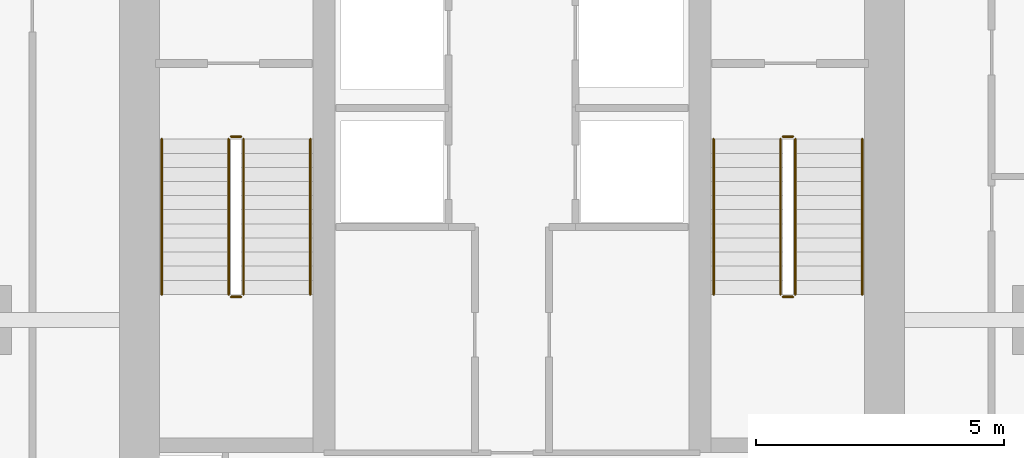
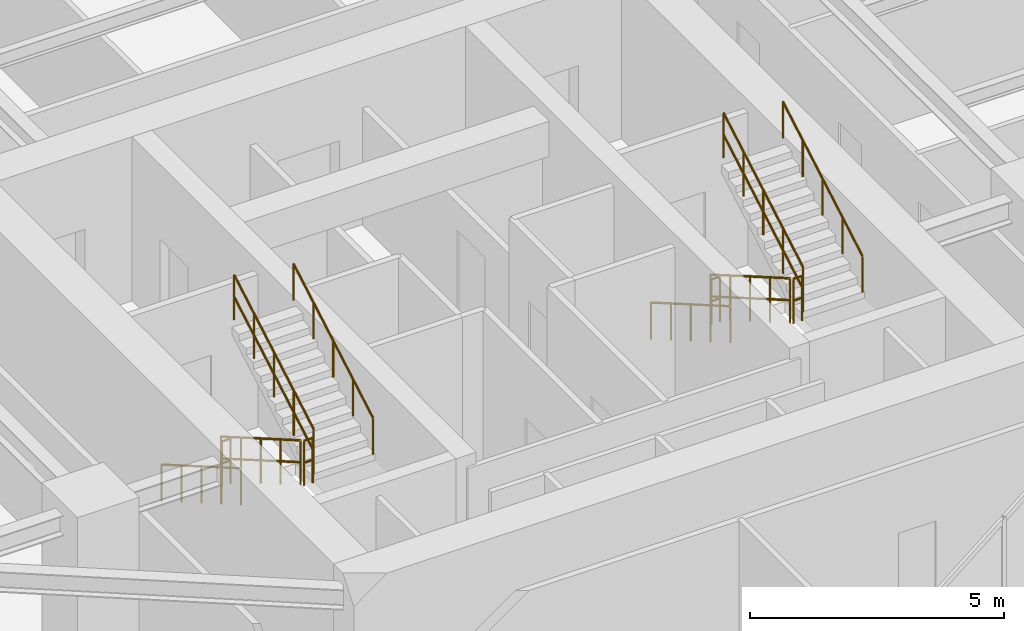
# One storey, part 19 of 20: 12 railings.
"""IFC4 building model written with IfcOpenShell, lengths in metres."""

from ifc_helpers import new_model, si_unit, direction, frame, origin, origin_2d, place, context, subcontext, project, spatial, circle, extrude, material, layer, layer_set, type_object, element, save


model = new_model("IFC4")

# Units and contexts
model_context = context("Model", 3, precision=1e-05, world=origin(), true_north=direction((0.0, 1.0)))
body_context = subcontext(model_context, "Body", "Model", "MODEL_VIEW")
ifc_project = project(units=[si_unit("LENGTHUNIT", "METRE"), si_unit("AREAUNIT", "SQUARE_METRE"), si_unit("VOLUMEUNIT", "CUBIC_METRE"), si_unit("PLANEANGLEUNIT", "RADIAN"), si_unit("MASSUNIT", "GRAM", prefix="KILO")], contexts=[model_context])

# Site, building, storey
site_placement = place(None, origin())
site = spatial("IfcSite", under=ifc_project, at=site_placement, CompositionType="ELEMENT")
building_placement = place(site_placement, origin())
building = spatial("IfcBuilding", under=site, at=building_placement, Name="Krantzveldt Concourse Tower", CompositionType="ELEMENT")
storey_placement = place(building_placement, frame((0.0, 0.0, 287.14990234375)))
storey = spatial("IfcBuildingStorey", under=building, at=storey_placement, Name="L70", CompositionType="ELEMENT", Elevation=287.14990234375)

# Railings
ifc_material = material(Name="Stainless steel 316L", Category="steel")
ifc_layer_1 = layer(ifc_material, 0.06005859375, Name="Stainless steel 316L", Category="steel")
ifc_layer_set_1 = layer_set([ifc_layer_1], Name="Stainless steel 316L (RL-GUARD-1120)")
railing_type_1 = type_object("IfcRailingType", Name="RL-GUARD-1120", PredefinedType="GUARDRAIL", material=ifc_layer_set_1)
railing_1_placement = place(storey_placement, frame((30.280029296875, 19.550048828125, 0.164794921875)))
element("IfcRailing", 1, at=railing_1_placement, inside=storey, type_object=railing_type_1, Name="L70 ST-1 stair guard 1", PredefinedType="GUARDRAIL", context=body_context, shape_type="SweptSolid", body=[
    extrude(circle(Radius=0.02392578125, at=origin_2d()), frame((0.0, 0.0, 1.076171875), z_axis=(0.0, -0.865989039225, 0.500062979975), x_axis=(1.0, 0.0, 0.0)), (0.0, 0.0, 1.0), 3.6201171875),
    extrude(circle(Radius=0.02392578125, at=origin_2d()), frame((0.0, 0.0, 0.550048828125), z_axis=(0.0, -0.865989039225, 0.500062979975), x_axis=(1.0, 0.0, 0.0)), (0.0, 0.0, 1.0), 3.6201171875),
    extrude(circle(Radius=0.02099609375, at=origin_2d()), origin(), (0.0, 0.0, 1.0), 1.052001953125),
    extrude(circle(Radius=0.02099609375, at=origin_2d()), frame((0.0, -0.78369140625, 0.45263671875)), (0.0, 0.0, 1.0), 1.052001953125),
    extrude(circle(Radius=0.02099609375, at=origin_2d()), frame((0.0, -1.5673828125, 0.9052734375)), (0.0, 0.0, 1.0), 1.052001953125),
    extrude(circle(Radius=0.02099609375, at=origin_2d()), frame((0.0, -2.351318359375, 1.357666015625)), (0.0, 0.0, 1.0), 1.052001953125),
    extrude(circle(Radius=0.02099609375, at=origin_2d()), frame((0.0, -3.135009765625, 1.810302734375)), (0.0, 0.0, 1.0), 1.052001953125),
])
railing_2_placement = place(storey_placement, frame((30.330078125, 16.364990234375, 1.97509765625)))
element("IfcRailing", 2, at=railing_2_placement, inside=storey, type_object=railing_type_1, Name="L70 ST-1 stair guard 2", PredefinedType="GUARDRAIL", context=body_context, shape_type="SweptSolid", body=[
    extrude(circle(Radius=0.02392578125, at=origin_2d()), frame((0.0, 0.0, 1.076171875), z_axis=(1.0, 0.0, 0.0), x_axis=(0.0, 1.0, 0.0)), (0.0, 0.0, 1.0), 0.199951171875),
    extrude(circle(Radius=0.02392578125, at=origin_2d()), frame((0.0, 0.0, 0.550048828125), z_axis=(1.0, 0.0, 0.0), x_axis=(0.0, 1.0, 0.0)), (0.0, 0.0, 1.0), 0.199951171875),
    extrude(circle(Radius=0.02099609375, at=origin_2d()), origin(), (0.0, 0.0, 1.0), 1.052001953125),
    extrude(circle(Radius=0.02099609375, at=origin_2d()), frame((0.199951171875, 0.0, 0.0)), (0.0, 0.0, 1.0), 1.052001953125),
])
railing_3_placement = place(storey_placement, frame((30.580078125, 16.4150390625, 2.1396484375)))
element("IfcRailing", 3, at=railing_3_placement, inside=storey, type_object=railing_type_1, Name="L70 ST-1 stair guard 3", PredefinedType="GUARDRAIL", context=body_context, shape_type="SweptSolid", body=[
    extrude(circle(Radius=0.02392578125, at=origin_2d()), frame((0.0, 0.0, 1.076171875), z_axis=(0.0, 0.865959834175, 0.500113552702), x_axis=(-1.0, 0.0, 0.0)), (0.0, 0.0, 1.0), 3.620361328125),
    extrude(circle(Radius=0.02392578125, at=origin_2d()), frame((0.0, 0.0, 0.550048828125), z_axis=(0.0, 0.865959834175, 0.500113552702), x_axis=(-1.0, 0.0, 0.0)), (0.0, 0.0, 1.0), 3.620361328125),
    extrude(circle(Radius=0.02099609375, at=origin_2d()), origin(), (0.0, 0.0, 1.0), 1.052001953125),
    extrude(circle(Radius=0.02099609375, at=origin_2d()), frame((0.0, 0.78369140625, 0.45263671875)), (0.0, 0.0, 1.0), 1.052001953125),
    extrude(circle(Radius=0.02099609375, at=origin_2d()), frame((0.0, 1.5673828125, 0.9052734375)), (0.0, 0.0, 1.0), 1.052001953125),
    extrude(circle(Radius=0.02099609375, at=origin_2d()), frame((0.0, 2.351318359375, 1.35791015625)), (0.0, 0.0, 1.0), 1.052001953125),
    extrude(circle(Radius=0.02099609375, at=origin_2d()), frame((0.0, 3.135009765625, 1.810546875)), (0.0, 0.0, 1.0), 1.052001953125),
])
railing_4_placement = place(storey_placement, frame((30.330078125, 19.60009765625, 0.0)))
element("IfcRailing", 4, at=railing_4_placement, inside=storey, type_object=railing_type_1, Name="L70 ST-1 stair guard 4", PredefinedType="GUARDRAIL", context=body_context, shape_type="SweptSolid", body=[
    extrude(circle(Radius=0.02392578125, at=origin_2d()), frame((0.0, 0.0, 1.076171875), z_axis=(1.0, 0.0, 0.0), x_axis=(0.0, 1.0, 0.0)), (0.0, 0.0, 1.0), 0.199951171875),
    extrude(circle(Radius=0.02392578125, at=origin_2d()), frame((0.0, 0.0, 0.550048828125), z_axis=(1.0, 0.0, 0.0), x_axis=(0.0, 1.0, 0.0)), (0.0, 0.0, 1.0), 0.199951171875),
    extrude(circle(Radius=0.02099609375, at=origin_2d()), origin(), (0.0, 0.0, 1.0), 1.052001953125),
    extrude(circle(Radius=0.02099609375, at=origin_2d()), frame((0.199951171875, 0.0, 0.0)), (0.0, 0.0, 1.0), 1.052001953125),
])
railing_5_placement = place(storey_placement, frame((41.419921875, 19.550048828125, 0.164794921875)))
element("IfcRailing", 5, at=railing_5_placement, inside=storey, type_object=railing_type_1, Name="L70 ST-2 stair guard 1", PredefinedType="GUARDRAIL", context=body_context, shape_type="SweptSolid", body=[
    extrude(circle(Radius=0.02392578125, at=origin_2d()), frame((0.0, 0.0, 1.076171875), z_axis=(0.0, -0.865989039225, 0.500062979975), x_axis=(1.0, 0.0, 0.0)), (0.0, 0.0, 1.0), 3.6201171875),
    extrude(circle(Radius=0.02392578125, at=origin_2d()), frame((0.0, 0.0, 0.550048828125), z_axis=(0.0, -0.865989039225, 0.500062979975), x_axis=(1.0, 0.0, 0.0)), (0.0, 0.0, 1.0), 3.6201171875),
    extrude(circle(Radius=0.02099609375, at=origin_2d()), origin(), (0.0, 0.0, 1.0), 1.052001953125),
    extrude(circle(Radius=0.02099609375, at=origin_2d()), frame((0.0, -0.78369140625, 0.45263671875)), (0.0, 0.0, 1.0), 1.052001953125),
    extrude(circle(Radius=0.02099609375, at=origin_2d()), frame((0.0, -1.5673828125, 0.9052734375)), (0.0, 0.0, 1.0), 1.052001953125),
    extrude(circle(Radius=0.02099609375, at=origin_2d()), frame((0.0, -2.351318359375, 1.357666015625)), (0.0, 0.0, 1.0), 1.052001953125),
    extrude(circle(Radius=0.02099609375, at=origin_2d()), frame((0.0, -3.135009765625, 1.810302734375)), (0.0, 0.0, 1.0), 1.052001953125),
])
railing_6_placement = place(storey_placement, frame((41.469970703125, 16.364990234375, 1.97509765625)))
element("IfcRailing", 6, at=railing_6_placement, inside=storey, type_object=railing_type_1, Name="L70 ST-2 stair guard 2", PredefinedType="GUARDRAIL", context=body_context, shape_type="SweptSolid", body=[
    extrude(circle(Radius=0.02392578125, at=origin_2d()), frame((0.0, 0.0, 1.076171875), z_axis=(1.0, 0.0, 0.0), x_axis=(0.0, 1.0, 0.0)), (0.0, 0.0, 1.0), 0.199951171875),
    extrude(circle(Radius=0.02392578125, at=origin_2d()), frame((0.0, 0.0, 0.550048828125), z_axis=(1.0, 0.0, 0.0), x_axis=(0.0, 1.0, 0.0)), (0.0, 0.0, 1.0), 0.199951171875),
    extrude(circle(Radius=0.02099609375, at=origin_2d()), origin(), (0.0, 0.0, 1.0), 1.052001953125),
    extrude(circle(Radius=0.02099609375, at=origin_2d()), frame((0.199951171875, 0.0, 0.0)), (0.0, 0.0, 1.0), 1.052001953125),
])
railing_7_placement = place(storey_placement, frame((41.719970703125, 16.4150390625, 2.1396484375)))
element("IfcRailing", 7, at=railing_7_placement, inside=storey, type_object=railing_type_1, Name="L70 ST-2 stair guard 3", PredefinedType="GUARDRAIL", context=body_context, shape_type="SweptSolid", body=[
    extrude(circle(Radius=0.02392578125, at=origin_2d()), frame((0.0, 0.0, 1.076171875), z_axis=(0.0, 0.865959834175, 0.500113552702), x_axis=(-1.0, 0.0, 0.0)), (0.0, 0.0, 1.0), 3.620361328125),
    extrude(circle(Radius=0.02392578125, at=origin_2d()), frame((0.0, 0.0, 0.550048828125), z_axis=(0.0, 0.865959834175, 0.500113552702), x_axis=(-1.0, 0.0, 0.0)), (0.0, 0.0, 1.0), 3.620361328125),
    extrude(circle(Radius=0.02099609375, at=origin_2d()), origin(), (0.0, 0.0, 1.0), 1.052001953125),
    extrude(circle(Radius=0.02099609375, at=origin_2d()), frame((0.0, 0.78369140625, 0.45263671875)), (0.0, 0.0, 1.0), 1.052001953125),
    extrude(circle(Radius=0.02099609375, at=origin_2d()), frame((0.0, 1.5673828125, 0.9052734375)), (0.0, 0.0, 1.0), 1.052001953125),
    extrude(circle(Radius=0.02099609375, at=origin_2d()), frame((0.0, 2.351318359375, 1.35791015625)), (0.0, 0.0, 1.0), 1.052001953125),
    extrude(circle(Radius=0.02099609375, at=origin_2d()), frame((0.0, 3.135009765625, 1.810546875)), (0.0, 0.0, 1.0), 1.052001953125),
])
railing_8_placement = place(storey_placement, frame((41.469970703125, 19.60009765625, 0.0)))
element("IfcRailing", 8, at=railing_8_placement, inside=storey, type_object=railing_type_1, Name="L70 ST-2 stair guard 4", PredefinedType="GUARDRAIL", context=body_context, shape_type="SweptSolid", body=[
    extrude(circle(Radius=0.02392578125, at=origin_2d()), frame((0.0, 0.0, 1.076171875), z_axis=(1.0, 0.0, 0.0), x_axis=(0.0, 1.0, 0.0)), (0.0, 0.0, 1.0), 0.199951171875),
    extrude(circle(Radius=0.02392578125, at=origin_2d()), frame((0.0, 0.0, 0.550048828125), z_axis=(1.0, 0.0, 0.0), x_axis=(0.0, 1.0, 0.0)), (0.0, 0.0, 1.0), 0.199951171875),
    extrude(circle(Radius=0.02099609375, at=origin_2d()), origin(), (0.0, 0.0, 1.0), 1.052001953125),
    extrude(circle(Radius=0.02099609375, at=origin_2d()), frame((0.199951171875, 0.0, 0.0)), (0.0, 0.0, 1.0), 1.052001953125),
])
ifc_layer_2 = layer(ifc_material, 0.050048828125, Name="Stainless steel 316L", Category="steel")
ifc_layer_set_2 = layer_set([ifc_layer_2], Name="Stainless steel 316L (RL-HANDRAIL-920)")
railing_type_2 = type_object("IfcRailingType", Name="RL-HANDRAIL-920", PredefinedType="HANDRAIL", material=ifc_layer_set_2)
railing_9_placement = place(storey_placement, frame((28.929931640625, 19.550048828125, 0.164794921875)))
element("IfcRailing", 9, at=railing_9_placement, inside=storey, type_object=railing_type_2, Name="L70 ST-1 stair handrail 1", PredefinedType="HANDRAIL", context=body_context, shape_type="SweptSolid", body=[
    extrude(circle(Radius=0.02392578125, at=origin_2d()), frame((0.0, 0.0, 0.8759765625), z_axis=(0.0, -0.865989039225, 0.500062979975), x_axis=(1.0, 0.0, 0.0)), (0.0, 0.0, 1.0), 3.6201171875),
    extrude(circle(Radius=0.02099609375, at=origin_2d()), origin(), (0.0, 0.0, 1.0), 0.851806640625),
    extrude(circle(Radius=0.02099609375, at=origin_2d()), frame((0.0, -0.78369140625, 0.45263671875)), (0.0, 0.0, 1.0), 0.851806640625),
    extrude(circle(Radius=0.02099609375, at=origin_2d()), frame((0.0, -1.5673828125, 0.9052734375)), (0.0, 0.0, 1.0), 0.851806640625),
    extrude(circle(Radius=0.02099609375, at=origin_2d()), frame((0.0, -2.351318359375, 1.357666015625)), (0.0, 0.0, 1.0), 0.851806640625),
    extrude(circle(Radius=0.02099609375, at=origin_2d()), frame((0.0, -3.135009765625, 1.810302734375)), (0.0, 0.0, 1.0), 0.851806640625),
])
railing_10_placement = place(storey_placement, frame((31.929931640625, 16.4150390625, 2.1396484375)))
element("IfcRailing", 10, at=railing_10_placement, inside=storey, type_object=railing_type_2, Name="L70 ST-1 stair handrail 2", PredefinedType="HANDRAIL", context=body_context, shape_type="SweptSolid", body=[
    extrude(circle(Radius=0.02392578125, at=origin_2d()), frame((0.0, 0.0, 0.8759765625), z_axis=(0.0, 0.865959834175, 0.500113552702), x_axis=(-1.0, 0.0, 0.0)), (0.0, 0.0, 1.0), 3.620361328125),
    extrude(circle(Radius=0.02099609375, at=origin_2d()), origin(), (0.0, 0.0, 1.0), 0.851806640625),
    extrude(circle(Radius=0.02099609375, at=origin_2d()), frame((0.0, 0.78369140625, 0.45263671875)), (0.0, 0.0, 1.0), 0.851806640625),
    extrude(circle(Radius=0.02099609375, at=origin_2d()), frame((0.0, 1.5673828125, 0.9052734375)), (0.0, 0.0, 1.0), 0.851806640625),
    extrude(circle(Radius=0.02099609375, at=origin_2d()), frame((0.0, 2.351318359375, 1.35791015625)), (0.0, 0.0, 1.0), 0.851806640625),
    extrude(circle(Radius=0.02099609375, at=origin_2d()), frame((0.0, 3.135009765625, 1.810546875)), (0.0, 0.0, 1.0), 0.851806640625),
])
railing_11_placement = place(storey_placement, frame((40.070068359375, 19.550048828125, 0.164794921875)))
element("IfcRailing", 11, at=railing_11_placement, inside=storey, type_object=railing_type_2, Name="L70 ST-2 stair handrail 1", PredefinedType="HANDRAIL", context=body_context, shape_type="SweptSolid", body=[
    extrude(circle(Radius=0.02392578125, at=origin_2d()), frame((0.0, 0.0, 0.8759765625), z_axis=(0.0, -0.865989039225, 0.500062979975), x_axis=(1.0, 0.0, 0.0)), (0.0, 0.0, 1.0), 3.6201171875),
    extrude(circle(Radius=0.02099609375, at=origin_2d()), origin(), (0.0, 0.0, 1.0), 0.851806640625),
    extrude(circle(Radius=0.02099609375, at=origin_2d()), frame((0.0, -0.78369140625, 0.45263671875)), (0.0, 0.0, 1.0), 0.851806640625),
    extrude(circle(Radius=0.02099609375, at=origin_2d()), frame((0.0, -1.5673828125, 0.9052734375)), (0.0, 0.0, 1.0), 0.851806640625),
    extrude(circle(Radius=0.02099609375, at=origin_2d()), frame((0.0, -2.351318359375, 1.357666015625)), (0.0, 0.0, 1.0), 0.851806640625),
    extrude(circle(Radius=0.02099609375, at=origin_2d()), frame((0.0, -3.135009765625, 1.810302734375)), (0.0, 0.0, 1.0), 0.851806640625),
])
railing_12_placement = place(storey_placement, frame((43.070068359375, 16.4150390625, 2.1396484375)))
element("IfcRailing", 12, at=railing_12_placement, inside=storey, type_object=railing_type_2, Name="L70 ST-2 stair handrail 2", PredefinedType="HANDRAIL", context=body_context, shape_type="SweptSolid", body=[
    extrude(circle(Radius=0.02392578125, at=origin_2d()), frame((0.0, 0.0, 0.8759765625), z_axis=(0.0, 0.865959834175, 0.500113552702), x_axis=(-1.0, 0.0, 0.0)), (0.0, 0.0, 1.0), 3.620361328125),
    extrude(circle(Radius=0.02099609375, at=origin_2d()), origin(), (0.0, 0.0, 1.0), 0.851806640625),
    extrude(circle(Radius=0.02099609375, at=origin_2d()), frame((0.0, 0.78369140625, 0.45263671875)), (0.0, 0.0, 1.0), 0.851806640625),
    extrude(circle(Radius=0.02099609375, at=origin_2d()), frame((0.0, 1.5673828125, 0.9052734375)), (0.0, 0.0, 1.0), 0.851806640625),
    extrude(circle(Radius=0.02099609375, at=origin_2d()), frame((0.0, 2.351318359375, 1.35791015625)), (0.0, 0.0, 1.0), 0.851806640625),
    extrude(circle(Radius=0.02099609375, at=origin_2d()), frame((0.0, 3.135009765625, 1.810546875)), (0.0, 0.0, 1.0), 0.851806640625),
])

save(model, "model.ifc")
